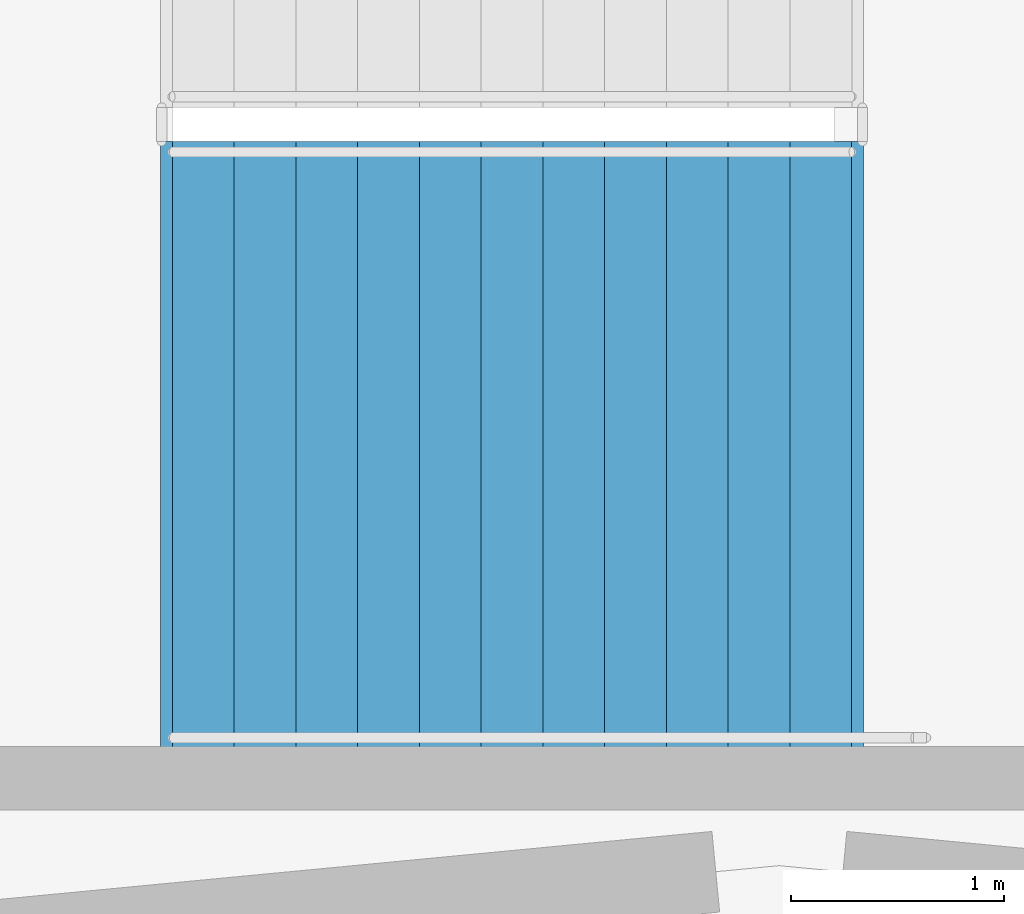
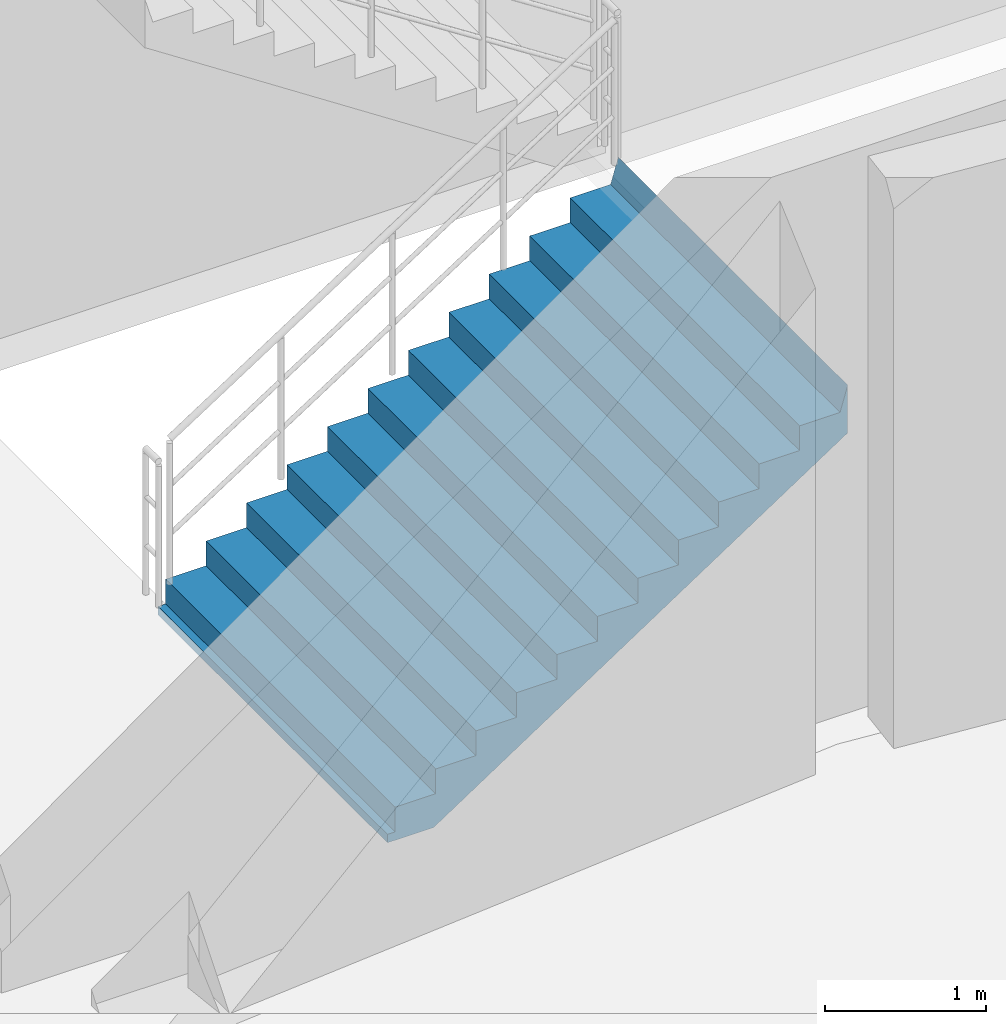
# One storey, part 50 of 60: 1 stair flight, 1 element without a shape of its own.
"""IFC4 building model written with IfcOpenShell, lengths in metres."""

from ifc_helpers import new_model, si_unit, direction, frame, origin, place, context, subcontext, project, spatial, polyline, outline, extrude, material, type_object, element, aggregate, save


model = new_model("IFC4")

# Units and contexts
model_context = context("Model", 3, precision=1e-05, world=origin(), true_north=direction((0.0, 1.0)))
body_context = subcontext(model_context, "Body", "Model", "MODEL_VIEW")
ifc_project = project(units=[si_unit("LENGTHUNIT", "METRE"), si_unit("AREAUNIT", "SQUARE_METRE"), si_unit("VOLUMEUNIT", "CUBIC_METRE"), si_unit("PLANEANGLEUNIT", "RADIAN"), si_unit("MASSUNIT", "GRAM", prefix="KILO")], contexts=[model_context])

# Site, building, storey
site_placement = place(None, origin())
site = spatial("IfcSite", under=ifc_project, at=site_placement, CompositionType="ELEMENT")
building_placement = place(site_placement, origin())
building = spatial("IfcBuilding", under=site, at=building_placement, Name="Cinderbank Siding Concert Hall", CompositionType="ELEMENT")
storey_placement = place(building_placement, frame((0.0, 0.0, 14.699951171875)))
storey = spatial("IfcBuildingStorey", under=building, at=storey_placement, Name="L04", CompositionType="ELEMENT", Elevation=14.699951171875)

# Stair, stair flight
ifc_material = material(Name="Reinforced concrete AS 3600 N50 (50 MPa)", Category="concrete")
stair_type = type_object("IfcStairType", Name="STR-J Dogleg Exit Stair 2850mm", PredefinedType="HALF_TURN_STAIR", material=ifc_material)
stair_placement = place(storey_placement, origin())
stair = element("IfcStair", 1, at=stair_placement, inside=storey, type_object=stair_type, Name="L04 Fire-isolated Exit Stair ST-01", PredefinedType="HALF_TURN_STAIR")
stair_flight_type = type_object("IfcStairFlightType", Name="SFL-J Concrete Stair Flight 2850mm", PredefinedType="STRAIGHT", material=ifc_material)
stair_flight_placement = place(storey_placement, frame((119.14990234375, 60.175048828125, 0.0), z_axis=(0.0, 0.0, 1.0), x_axis=(1.0, 0.0, 0.0)))
stair_flight = element("IfcStairFlight", 2, at=stair_flight_placement, type_object=stair_flight_type, Name="ST-01 flight 1", NumberOfRisers=12, NumberOfTreads=11, PredefinedType="STRAIGHT", RiserHeight=0.1875, TreadLength=0.29, context=body_context, shape_type="SweptSolid", body=[
    extrude(outline(polyline([(0.0, 0.0), (0.0, 0.1875), (0.2900390625, 0.1875), (0.2900390625, 0.375), (0.580078125, 0.375), (0.580078125, 0.5625), (0.8701171875, 0.5625), (0.8701171875, 0.75), (1.159912109375, 0.75), (1.159912109375, 0.9375), (1.449951171875, 0.9375), (1.449951171875, 1.125), (1.739990234375, 1.125), (1.739990234375, 1.3125), (2.030029296875, 1.3125), (2.030029296875, 1.5), (2.320068359375, 1.5), (2.320068359375, 1.6875), (2.610107421875, 1.6875), (2.610107421875, 1.875), (2.89990234375, 1.875), (2.89990234375, 2.0625), (3.18994140625, 2.0625), (3.244873046875, 2.25), (3.244873046875, 1.884033203125), (3.24462890625, 1.88427734375), (3.24462890625, 1.884521484375), (3.24462890625, 1.884765625), (3.24462890625, 1.885009765625), (3.24462890625, 1.88525390625), (3.24462890625, 1.885498046875), (3.24462890625, 1.8857421875), (3.24462890625, 1.885986328125), (3.24462890625, 1.88623046875), (3.24462890625, 1.886474609375), (3.24462890625, 1.88671875), (3.24462890625, 1.886962890625), (3.244384765625, 1.886962890625), (3.244384765625, 1.88671875), (3.244384765625, 1.886474609375), (3.244384765625, 1.88623046875), (3.244384765625, 1.885986328125), (3.244384765625, 1.8857421875), (3.244384765625, 1.885498046875), (3.244384765625, 1.88525390625), (3.244384765625, 1.885009765625), (3.244384765625, 1.884765625), (3.244384765625, 1.884521484375), (3.244384765625, 1.88427734375), (3.244384765625, 1.884033203125), (3.244140625, 1.88427734375), (3.244140625, 1.884521484375), (3.244140625, 1.884765625), (3.244140625, 1.885009765625), (3.244140625, 1.88525390625), (3.244140625, 1.885498046875), (3.244140625, 1.8857421875), (3.244140625, 1.885986328125), (3.244140625, 1.88623046875), (3.244140625, 1.886474609375), (3.244140625, 1.88671875), (3.244140625, 1.886962890625), (3.243896484375, 1.886962890625), (3.243896484375, 1.88671875), (3.243896484375, 1.886474609375), (3.243896484375, 1.88623046875), (3.243896484375, 1.885986328125), (3.243896484375, 1.8857421875), (3.243896484375, 1.885498046875), (3.243896484375, 1.88525390625), (3.243896484375, 1.885009765625), (3.243896484375, 1.884765625), (3.243896484375, 1.884521484375), (3.243896484375, 1.88427734375), (3.243896484375, 1.884033203125), (3.24365234375, 1.88427734375), (3.24365234375, 1.884521484375), (3.24365234375, 1.884765625), (3.24365234375, 1.885009765625), (3.24365234375, 1.88525390625), (3.24365234375, 1.885498046875), (3.24365234375, 1.8857421875), (3.24365234375, 1.885986328125), (3.24365234375, 1.88623046875), (3.24365234375, 1.886474609375), (3.24365234375, 1.88671875), (3.24365234375, 1.886962890625), (3.243408203125, 1.886962890625), (3.243408203125, 1.88671875), (3.243408203125, 1.886474609375), (3.243408203125, 1.88623046875), (3.243408203125, 1.885986328125), (3.243408203125, 1.8857421875), (3.243408203125, 1.885498046875), (3.243408203125, 1.88525390625), (3.243408203125, 1.885009765625), (3.243408203125, 1.884765625), (3.243408203125, 1.884521484375), (3.243408203125, 1.88427734375), (3.243408203125, 1.884033203125), (3.2431640625, 1.88427734375), (3.2431640625, 1.884521484375), (3.2431640625, 1.884765625), (3.2431640625, 1.885009765625), (3.2431640625, 1.88525390625), (3.2431640625, 1.885498046875), (3.2431640625, 1.8857421875), (3.2431640625, 1.885986328125), (3.2431640625, 1.88623046875), (3.2431640625, 1.886474609375), (3.2431640625, 1.88671875), (3.2431640625, 1.886962890625), (3.242919921875, 1.886962890625), (3.242919921875, 1.88671875), (3.242919921875, 1.886474609375), (3.242919921875, 1.88623046875), (3.242919921875, 1.885986328125), (3.242919921875, 1.8857421875), (3.242919921875, 1.885498046875), (3.242919921875, 1.88525390625), (3.242919921875, 1.885009765625), (3.242919921875, 1.884765625), (3.242919921875, 1.884521484375), (3.242919921875, 1.88427734375), (3.242919921875, 1.884033203125), (3.24267578125, 1.88427734375), (3.24267578125, 1.884521484375), (3.24267578125, 1.884765625), (3.24267578125, 1.885009765625), (3.24267578125, 1.88525390625), (3.24267578125, 1.885498046875), (3.24267578125, 1.8857421875), (3.24267578125, 1.885986328125), (3.24267578125, 1.88623046875), (3.24267578125, 1.886474609375), (3.24267578125, 1.88671875), (3.24267578125, 1.886962890625), (3.242431640625, 1.886962890625), (3.242431640625, 1.88671875), (3.242431640625, 1.886474609375), (3.242431640625, 1.88623046875), (3.242431640625, 1.885986328125), (3.242431640625, 1.8857421875), (3.242431640625, 1.885498046875), (3.242431640625, 1.88525390625), (3.242431640625, 1.885009765625), (3.242431640625, 1.884765625), (3.242431640625, 1.884521484375), (3.242431640625, 1.88427734375), (3.242431640625, 1.884033203125), (3.2421875, 1.88427734375), (3.2421875, 1.884521484375), (3.2421875, 1.884765625), (3.2421875, 1.885009765625), (3.2421875, 1.88525390625), (3.2421875, 1.885498046875), (3.2421875, 1.8857421875), (3.2421875, 1.885986328125), (3.2421875, 1.88623046875), (3.2421875, 1.886474609375), (3.2421875, 1.88671875), (3.2421875, 1.886962890625), (3.241943359375, 1.886962890625), (3.241943359375, 1.88671875), (3.241943359375, 1.886474609375), (3.241943359375, 1.88623046875), (3.241943359375, 1.885986328125), (3.241943359375, 1.8857421875), (3.241943359375, 1.885498046875), (3.241943359375, 1.88525390625), (3.241943359375, 1.885009765625), (3.241943359375, 1.884765625), (3.241943359375, 1.884521484375), (3.241943359375, 1.88427734375), (3.241943359375, 1.884033203125), (3.24169921875, 1.88427734375), (3.24169921875, 1.884521484375), (3.24169921875, 1.884765625), (3.24169921875, 1.885009765625), (3.24169921875, 1.88525390625), (3.24169921875, 1.885498046875), (3.24169921875, 1.8857421875), (3.24169921875, 1.885986328125), (3.24169921875, 1.88623046875), (3.24169921875, 1.886474609375), (3.24169921875, 1.88671875), (3.24169921875, 1.886962890625), (3.241455078125, 1.886962890625), (3.241455078125, 1.88671875), (3.241455078125, 1.886474609375), (3.241455078125, 1.88623046875), (3.241455078125, 1.885986328125), (3.241455078125, 1.8857421875), (3.241455078125, 1.885498046875), (3.241455078125, 1.88525390625), (3.241455078125, 1.885009765625), (3.241455078125, 1.884765625), (3.241455078125, 1.884521484375), (3.241455078125, 1.88427734375), (3.241455078125, 1.884033203125), (3.2412109375, 1.88427734375), (3.2412109375, 1.884521484375), (3.2412109375, 1.884765625), (3.2412109375, 1.885009765625), (3.2412109375, 1.88525390625), (3.2412109375, 1.885498046875), (3.2412109375, 1.8857421875), (3.2412109375, 1.885986328125), (3.2412109375, 1.88623046875), (3.2412109375, 1.886474609375), (3.2412109375, 1.88671875), (3.2412109375, 1.886962890625), (3.240966796875, 1.886962890625), (3.240966796875, 1.88671875), (3.240966796875, 1.886474609375), (3.240966796875, 1.88623046875), (3.240966796875, 1.885986328125), (3.240966796875, 1.8857421875), (3.240966796875, 1.885498046875), (3.240966796875, 1.88525390625), (3.240966796875, 1.885009765625), (3.240966796875, 1.884765625), (3.240966796875, 1.884521484375), (3.240966796875, 1.88427734375), (3.240966796875, 1.884033203125), (3.24072265625, 1.88427734375), (3.24072265625, 1.884521484375), (3.24072265625, 1.884765625), (3.24072265625, 1.885009765625), (3.24072265625, 1.88525390625), (3.24072265625, 1.885498046875), (3.24072265625, 1.8857421875), (3.24072265625, 1.885986328125), (3.24072265625, 1.88623046875), (3.24072265625, 1.886474609375), (3.24072265625, 1.88671875), (3.24072265625, 1.886962890625), (3.240478515625, 1.886962890625), (3.240478515625, 1.88671875), (3.240478515625, 1.886474609375), (3.240478515625, 1.88623046875), (3.240478515625, 1.885986328125), (3.240478515625, 1.8857421875), (3.240478515625, 1.885498046875), (3.240478515625, 1.88525390625), (3.240478515625, 1.885009765625), (3.240478515625, 1.884765625), (3.240478515625, 1.884521484375), (3.240478515625, 1.88427734375), (3.240478515625, 1.884033203125), (3.240234375, 1.88427734375), (3.240234375, 1.884521484375), (3.240234375, 1.884765625), (3.240234375, 1.885009765625), (3.240234375, 1.88525390625), (3.240234375, 1.885498046875), (3.240234375, 1.8857421875), (3.240234375, 1.885986328125), (3.240234375, 1.88623046875), (3.240234375, 1.886474609375), (3.240234375, 1.88671875), (3.240234375, 1.886962890625), (3.239990234375, 1.886962890625), (3.239990234375, 1.88671875), (3.239990234375, 1.886474609375), (3.239990234375, 1.88623046875), (3.239990234375, 1.885986328125), (3.239990234375, 1.8857421875), (3.239990234375, 1.885498046875), (3.239990234375, 1.88525390625), (3.239990234375, 1.885009765625), (3.239990234375, 1.884765625), (3.239990234375, 1.884521484375), (3.239990234375, 1.88427734375), (3.239990234375, 1.884033203125), (3.23974609375, 1.88427734375), (3.23974609375, 1.884521484375), (3.23974609375, 1.884765625), (3.23974609375, 1.885009765625), (3.23974609375, 1.88525390625), (3.23974609375, 1.885498046875), (3.23974609375, 1.8857421875), (3.23974609375, 1.885986328125), (3.23974609375, 1.88623046875), (3.23974609375, 1.886474609375), (3.23974609375, 1.88671875), (3.23974609375, 1.886962890625), (3.239501953125, 1.886962890625), (3.239501953125, 1.88671875), (3.239501953125, 1.886474609375), (3.239501953125, 1.88623046875), (3.239501953125, 1.885986328125), (3.239501953125, 1.8857421875), (3.239501953125, 1.885498046875), (3.239501953125, 1.88525390625), (3.239501953125, 1.885009765625), (3.239501953125, 1.884765625), (3.239501953125, 1.884521484375), (3.239501953125, 1.88427734375), (3.239501953125, 1.884033203125), (3.2392578125, 1.88427734375), (3.2392578125, 1.884521484375), (3.2392578125, 1.884765625), (3.2392578125, 1.885009765625), (3.2392578125, 1.88525390625), (3.2392578125, 1.885498046875), (3.2392578125, 1.8857421875), (3.2392578125, 1.885986328125), (3.2392578125, 1.88623046875), (3.2392578125, 1.886474609375), (3.2392578125, 1.88671875), (3.2392578125, 1.886962890625), (3.239013671875, 1.886962890625), (3.239013671875, 1.88671875), (3.239013671875, 1.886474609375), (3.239013671875, 1.88623046875), (3.239013671875, 1.885986328125), (3.239013671875, 1.8857421875), (3.239013671875, 1.885498046875), (3.239013671875, 1.88525390625), (3.239013671875, 1.885009765625), (3.239013671875, 1.884765625), (3.239013671875, 1.884521484375), (3.239013671875, 1.88427734375), (3.239013671875, 1.884033203125), (3.23876953125, 1.88427734375), (3.23876953125, 1.884521484375), (3.23876953125, 1.884765625), (3.23876953125, 1.885009765625), (3.23876953125, 1.88525390625), (3.23876953125, 1.885498046875), (3.23876953125, 1.8857421875), (3.23876953125, 1.885986328125), (3.23876953125, 1.88623046875), (3.23876953125, 1.886474609375), (3.23876953125, 1.88671875), (3.23876953125, 1.886962890625), (3.238525390625, 1.886962890625), (3.238525390625, 1.88671875), (3.238525390625, 1.886474609375), (3.238525390625, 1.88623046875), (3.238525390625, 1.885986328125), (3.238525390625, 1.8857421875), (3.238525390625, 1.885498046875), (3.238525390625, 1.88525390625), (3.238525390625, 1.885009765625), (3.238525390625, 1.884765625), (3.238525390625, 1.884521484375), (3.238525390625, 1.88427734375), (3.238525390625, 1.884033203125), (0.276123046875, -0.06396484375), (-0.048583984375, -0.063720703125), (-0.048583984375, -0.0634765625), (-0.048583984375, -0.063232421875), (-0.048583984375, -0.06298828125), (-0.048583984375, -0.062744140625), (-0.048583984375, -0.0625), (-0.048583984375, -0.062255859375), (-0.048583984375, -0.06201171875), (-0.048583984375, -0.061767578125), (-0.048583984375, -0.0615234375), (-0.048583984375, -0.061279296875), (-0.048583984375, -0.06103515625), (-0.048828125, -0.06103515625), (-0.048828125, -0.061279296875), (-0.048828125, -0.0615234375), (-0.048828125, -0.061767578125), (-0.048828125, -0.06201171875), (-0.048828125, -0.062255859375), (-0.048828125, -0.0625), (-0.048828125, -0.062744140625), (-0.048828125, -0.06298828125), (-0.048828125, -0.063232421875), (-0.048828125, -0.0634765625), (-0.048828125, -0.063720703125), (-0.048828125, -0.06396484375), (-0.049072265625, -0.063720703125), (-0.049072265625, -0.0634765625), (-0.049072265625, -0.063232421875), (-0.049072265625, -0.06298828125), (-0.049072265625, -0.062744140625), (-0.049072265625, -0.0625), (-0.049072265625, -0.062255859375), (-0.049072265625, -0.06201171875), (-0.049072265625, -0.061767578125), (-0.049072265625, -0.0615234375), (-0.049072265625, -0.061279296875), (-0.049072265625, -0.06103515625), (-0.04931640625, -0.06103515625), (-0.04931640625, -0.061279296875), (-0.04931640625, -0.0615234375), (-0.04931640625, -0.061767578125), (-0.04931640625, -0.06201171875), (-0.04931640625, -0.062255859375), (-0.04931640625, -0.0625), (-0.04931640625, -0.062744140625), (-0.04931640625, -0.06298828125), (-0.04931640625, -0.063232421875), (-0.04931640625, -0.0634765625), (-0.04931640625, -0.063720703125), (-0.04931640625, -0.06396484375), (-0.049560546875, -0.063720703125), (-0.049560546875, -0.0634765625), (-0.049560546875, -0.063232421875), (-0.049560546875, -0.06298828125), (-0.049560546875, -0.062744140625), (-0.049560546875, -0.0625), (-0.049560546875, -0.062255859375), (-0.049560546875, -0.06201171875), (-0.049560546875, -0.061767578125), (-0.049560546875, -0.0615234375), (-0.049560546875, -0.061279296875), (-0.049560546875, -0.06103515625), (-0.0498046875, -0.06103515625), (-0.0498046875, -0.061279296875), (-0.0498046875, -0.0615234375), (-0.0498046875, -0.061767578125), (-0.0498046875, -0.06201171875), (-0.0498046875, -0.062255859375), (-0.0498046875, -0.0625), (-0.0498046875, -0.062744140625), (-0.0498046875, -0.06298828125), (-0.0498046875, -0.063232421875), (-0.0498046875, -0.0634765625), (-0.0498046875, -0.063720703125), (-0.0498046875, -0.06396484375), (-0.050048828125, -0.063720703125), (-0.050048828125, -0.0634765625), (-0.050048828125, -0.063232421875), (-0.050048828125, -0.06298828125), (-0.050048828125, -0.062744140625), (-0.050048828125, -0.0625), (-0.050048828125, -0.062255859375), (-0.050048828125, -0.06201171875), (-0.050048828125, -0.061767578125), (-0.050048828125, -0.0615234375), (-0.050048828125, -0.061279296875), (-0.050048828125, -0.06103515625), (-0.05029296875, -0.06103515625), (-0.05029296875, -0.061279296875), (-0.05029296875, -0.0615234375), (-0.05029296875, -0.061767578125), (-0.05029296875, -0.06201171875), (-0.05029296875, -0.062255859375), (-0.05029296875, -0.0625), (-0.05029296875, -0.062744140625), (-0.05029296875, -0.06298828125), (-0.05029296875, -0.063232421875), (-0.05029296875, -0.0634765625), (-0.05029296875, -0.063720703125), (-0.05029296875, -0.06396484375), (-0.050537109375, -0.063720703125), (-0.050537109375, -0.0634765625), (-0.050537109375, -0.063232421875), (-0.050537109375, -0.06298828125), (-0.050537109375, -0.062744140625), (-0.050537109375, -0.0625), (-0.050537109375, -0.062255859375), (-0.050537109375, -0.06201171875), (-0.050537109375, -0.061767578125), (-0.050537109375, -0.0615234375), (-0.050537109375, -0.061279296875), (-0.050537109375, -0.06103515625), (-0.05078125, -0.06103515625), (-0.05078125, -0.061279296875), (-0.05078125, -0.0615234375), (-0.05078125, -0.061767578125), (-0.05078125, -0.06201171875), (-0.05078125, -0.062255859375), (-0.05078125, -0.0625), (-0.05078125, -0.062744140625), (-0.05078125, -0.06298828125), (-0.05078125, -0.063232421875), (-0.05078125, -0.0634765625), (-0.05078125, -0.063720703125), (-0.05078125, -0.06396484375), (-0.051025390625, -0.063720703125), (-0.051025390625, -0.0634765625), (-0.051025390625, -0.063232421875), (-0.051025390625, -0.06298828125), (-0.051025390625, -0.062744140625), (-0.051025390625, -0.0625), (-0.051025390625, -0.062255859375), (-0.051025390625, -0.06201171875), (-0.051025390625, -0.061767578125), (-0.051025390625, -0.0615234375), (-0.051025390625, -0.061279296875), (-0.051025390625, -0.06103515625), (-0.05126953125, -0.06103515625), (-0.05126953125, -0.061279296875), (-0.05126953125, -0.0615234375), (-0.05126953125, -0.061767578125), (-0.05126953125, -0.06201171875), (-0.05126953125, -0.062255859375), (-0.05126953125, -0.0625), (-0.05126953125, -0.062744140625), (-0.05126953125, -0.06298828125), (-0.05126953125, -0.063232421875), (-0.05126953125, -0.0634765625), (-0.05126953125, -0.063720703125), (-0.05126953125, -0.06396484375), (-0.051513671875, -0.063720703125), (-0.051513671875, -0.0634765625), (-0.051513671875, -0.063232421875), (-0.051513671875, -0.06298828125), (-0.051513671875, -0.062744140625), (-0.051513671875, -0.0625), (-0.051513671875, -0.062255859375), (-0.051513671875, -0.06201171875), (-0.051513671875, -0.061767578125), (-0.051513671875, -0.0615234375), (-0.051513671875, -0.061279296875), (-0.051513671875, -0.06103515625), (-0.0517578125, -0.06103515625), (-0.0517578125, -0.061279296875), (-0.0517578125, -0.0615234375), (-0.0517578125, -0.061767578125), (-0.0517578125, -0.06201171875), (-0.0517578125, -0.062255859375), (-0.0517578125, -0.0625), (-0.0517578125, -0.062744140625), (-0.0517578125, -0.06298828125), (-0.0517578125, -0.063232421875), (-0.0517578125, -0.0634765625), (-0.0517578125, -0.063720703125), (-0.0517578125, -0.06396484375), (-0.052001953125, -0.063720703125), (-0.052001953125, -0.0634765625), (-0.052001953125, -0.063232421875), (-0.052001953125, -0.06298828125), (-0.052001953125, -0.062744140625), (-0.052001953125, -0.0625), (-0.052001953125, -0.062255859375), (-0.052001953125, -0.06201171875), (-0.052001953125, -0.061767578125), (-0.052001953125, -0.0615234375), (-0.052001953125, -0.061279296875), (-0.052001953125, -0.06103515625), (-0.05224609375, -0.06103515625), (-0.05224609375, -0.061279296875), (-0.05224609375, -0.0615234375), (-0.05224609375, -0.061767578125), (-0.05224609375, -0.06201171875), (-0.05224609375, -0.062255859375), (-0.05224609375, -0.0625), (-0.05224609375, -0.062744140625), (-0.05224609375, -0.06298828125), (-0.05224609375, -0.063232421875), (-0.05224609375, -0.0634765625), (-0.05224609375, -0.063720703125), (-0.05224609375, -0.06396484375), (-0.052490234375, -0.063720703125), (-0.052490234375, -0.0634765625), (-0.052490234375, -0.063232421875), (-0.052490234375, -0.06298828125), (-0.052490234375, -0.062744140625), (-0.052490234375, -0.0625), (-0.052490234375, -0.062255859375), (-0.052490234375, -0.06201171875), (-0.052490234375, -0.061767578125), (-0.052490234375, -0.0615234375), (-0.052490234375, -0.061279296875), (-0.052490234375, -0.06103515625), (-0.052734375, -0.06103515625), (-0.052734375, -0.061279296875), (-0.052734375, -0.0615234375), (-0.052734375, -0.061767578125), (-0.052734375, -0.06201171875), (-0.052734375, -0.062255859375), (-0.052734375, -0.0625), (-0.052734375, -0.062744140625), (-0.052734375, -0.06298828125), (-0.052734375, -0.063232421875), (-0.052734375, -0.0634765625), (-0.052734375, -0.063720703125), (-0.052734375, -0.06396484375), (-0.052978515625, -0.063720703125), (-0.052978515625, -0.0634765625), (-0.052978515625, -0.063232421875), (-0.052978515625, -0.06298828125), (-0.052978515625, -0.062744140625), (-0.052978515625, -0.0625), (-0.052978515625, -0.062255859375), (-0.052978515625, -0.06201171875), (-0.052978515625, -0.061767578125), (-0.052978515625, -0.0615234375), (-0.052978515625, -0.061279296875), (-0.052978515625, -0.06103515625), (-0.05322265625, -0.06103515625), (-0.05322265625, -0.061279296875), (-0.05322265625, -0.0615234375), (-0.05322265625, -0.061767578125), (-0.05322265625, -0.06201171875), (-0.05322265625, -0.062255859375), (-0.05322265625, -0.0625), (-0.05322265625, -0.062744140625), (-0.05322265625, -0.06298828125), (-0.05322265625, -0.063232421875), (-0.05322265625, -0.0634765625), (-0.05322265625, -0.063720703125), (-0.05322265625, -0.06396484375), (-0.053466796875, -0.063720703125), (-0.053466796875, -0.0634765625), (-0.053466796875, -0.063232421875), (-0.053466796875, -0.06298828125), (-0.053466796875, -0.062744140625), (-0.053466796875, -0.0625), (-0.053466796875, -0.062255859375), (-0.053466796875, -0.06201171875), (-0.053466796875, -0.061767578125), (-0.053466796875, -0.0615234375), (-0.053466796875, -0.061279296875), (-0.053466796875, -0.06103515625), (-0.0537109375, -0.06103515625), (-0.0537109375, -0.061279296875), (-0.0537109375, -0.0615234375), (-0.0537109375, -0.061767578125), (-0.0537109375, -0.06201171875), (-0.0537109375, -0.062255859375), (-0.0537109375, -0.0625), (-0.0537109375, -0.062744140625), (-0.0537109375, -0.06298828125), (-0.0537109375, -0.063232421875), (-0.0537109375, -0.0634765625), (-0.0537109375, -0.063720703125), (-0.0537109375, -0.06396484375), (-0.053955078125, -0.063720703125), (-0.053955078125, -0.0634765625), (-0.053955078125, -0.063232421875), (-0.053955078125, -0.06298828125), (-0.053955078125, -0.062744140625), (-0.053955078125, -0.0625), (-0.053955078125, -0.062255859375), (-0.053955078125, -0.06201171875), (-0.053955078125, -0.061767578125), (-0.053955078125, -0.0615234375), (-0.053955078125, -0.061279296875), (-0.053955078125, -0.06103515625), (-0.05419921875, -0.06103515625), (-0.05419921875, -0.061279296875), (-0.05419921875, -0.0615234375), (-0.05419921875, -0.061767578125), (-0.05419921875, -0.06201171875), (-0.05419921875, -0.062255859375), (-0.05419921875, -0.0625), (-0.05419921875, -0.062744140625), (-0.05419921875, -0.06298828125), (-0.05419921875, -0.063232421875), (-0.05419921875, -0.0634765625), (-0.05419921875, -0.063720703125), (-0.05419921875, -0.06396484375), (-0.054443359375, -0.063720703125), (-0.054443359375, -0.0634765625), (-0.054443359375, -0.063232421875), (-0.054443359375, -0.06298828125), (-0.054443359375, -0.062744140625), (-0.054443359375, -0.0625), (-0.054443359375, -0.062255859375), (-0.054443359375, -0.06201171875), (-0.054443359375, -0.061767578125), (-0.054443359375, -0.0615234375), (-0.054443359375, -0.061279296875), (-0.054443359375, -0.06103515625), (-0.0546875, -0.06103515625), (-0.0546875, -0.061279296875), (-0.0546875, -0.0615234375), (-0.0546875, -0.061767578125), (-0.0546875, -0.06201171875), (-0.0546875, -0.062255859375), (-0.0546875, -0.0625), (-0.0546875, -0.062744140625), (-0.0546875, -0.06298828125), (-0.0546875, -0.063232421875), (-0.0546875, -0.0634765625), (-0.0546875, -0.063720703125), (-0.0546875, -0.06396484375), (-0.054931640625, -0.06396484375), (-0.054931640625, 0.0), (0.0, 0.0)])), frame((0.0, 1.425048828125, 0.0), z_axis=(0.0, -1.0, 0.0), x_axis=(1.0, 0.0, 0.0)), (0.0, 0.0, 1.0), 2.85009765625),
])
aggregate(stair, [stair_flight])

save(model, "model.ifc")
